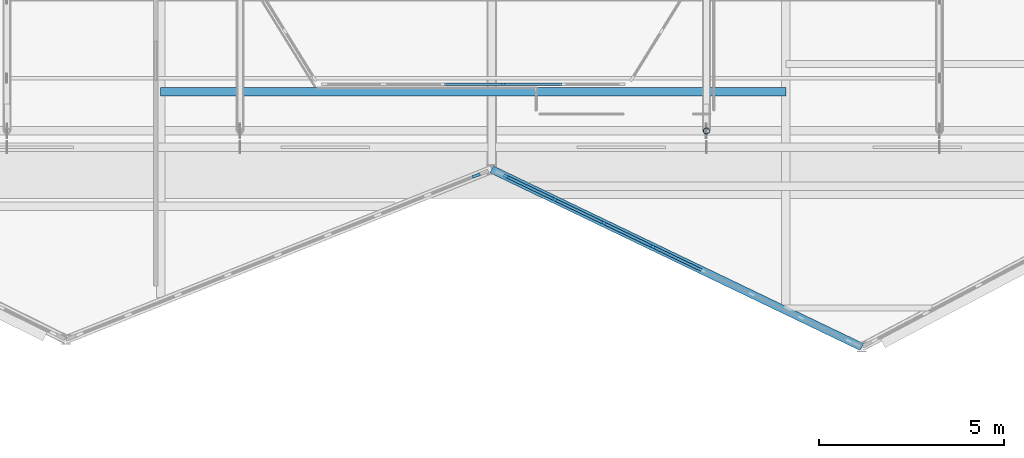
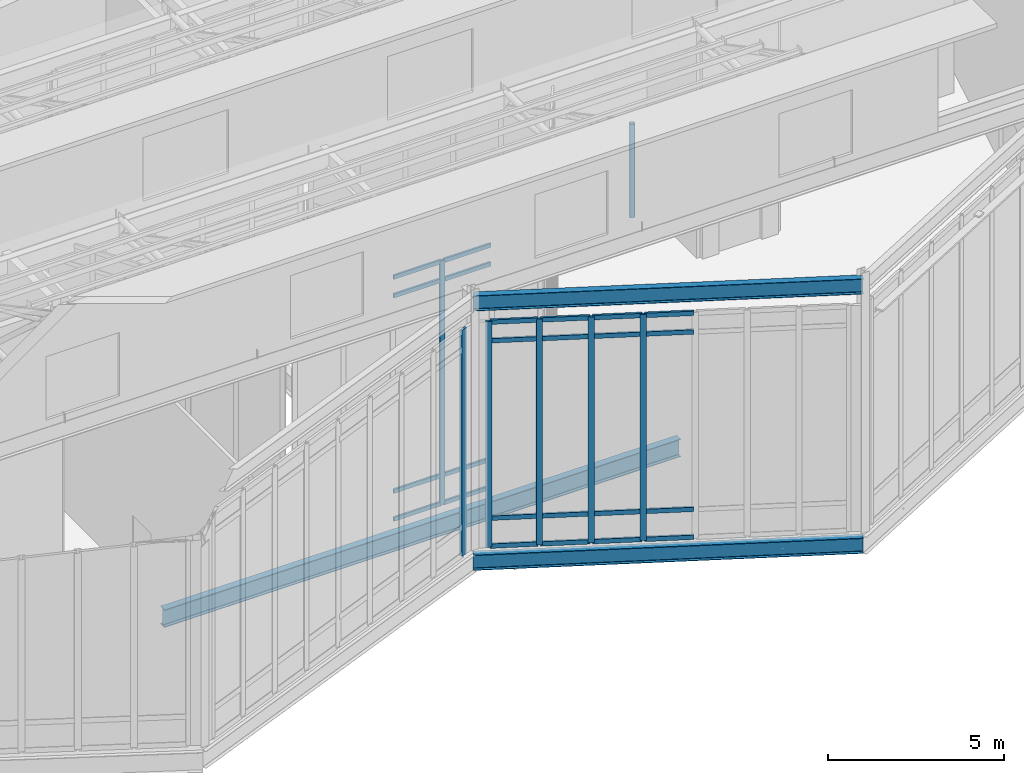
# One storey, part 16 of 66: 31 members, 3 beams, 3 elements without a shape of their own.
"""IFC4 building model written with IfcOpenShell, lengths in metres."""

from ifc_helpers import new_model, si_unit, direction, frame, origin, origin_2d, place, context, subcontext, project, spatial, rectangle, hollow_circle, i_section, extrude, material, material_profile, profile_set, type_object, element, aggregate, save


model = new_model("IFC4")

# Units and contexts
model_context = context("Model", 3, precision=1e-05, world=origin(), true_north=direction((0.0, 1.0)))
body_context = subcontext(model_context, "Body", "Model", "MODEL_VIEW")
ifc_project = project(units=[si_unit("LENGTHUNIT", "METRE"), si_unit("AREAUNIT", "SQUARE_METRE"), si_unit("VOLUMEUNIT", "CUBIC_METRE"), si_unit("PLANEANGLEUNIT", "RADIAN"), si_unit("MASSUNIT", "GRAM", prefix="KILO")], contexts=[model_context])

# Site, building, storey
site_placement = place(None, origin())
site = spatial("IfcSite", under=ifc_project, at=site_placement, CompositionType="ELEMENT")
building_placement = place(site_placement, origin())
building = spatial("IfcBuilding", under=site, at=building_placement, Name="Tameran Prism Museum", CompositionType="ELEMENT")
storey_placement = place(building_placement, frame((0.0, 0.0, 19.800048828125)))
storey = spatial("IfcBuildingStorey", under=building, at=storey_placement, Name="L04", CompositionType="ELEMENT", Elevation=19.800048828125)

# Beams
ifc_material_1 = material(Name="Steel Grade 300PLUS (300 MPa)", Category="steel")
ifc_material_profile_1 = material_profile(ifc_material_1, i_section(OverallWidth=0.208984375, OverallDepth=0.532958984375, WebThickness=0.01025390625, FlangeThickness=0.015625, FilletRadius=0.013916015625, at=origin_2d()))
ifc_profile_set_1 = profile_set([ifc_material_profile_1])
beam_type_1 = type_object("IfcBeamType", Name="BM-SP530A", PredefinedType="SPANDREL", material=ifc_profile_set_1)
beam_1_placement = place(storey_placement, frame((77.5, 27.39990234375, -0.466552734375), z_axis=(0.901529926538, -0.432716756732, 0.0), x_axis=(0.432716756732, 0.901529926538, 0.0)))
element("IfcBeam", 1, at=beam_1_placement, inside=storey, type_object=beam_type_1, Name="Perimeter Spandrel SP-1167", PredefinedType="SPANDREL", context=body_context, shape_type="SweptSolid", body=[
    extrude(i_section(OverallWidth=0.208984375, OverallDepth=0.532958984375, WebThickness=0.01025390625, FlangeThickness=0.015625, FilletRadius=0.013916015625, at=origin_2d()), origin(), (0.0, 0.0, 1.0), 11.09228515625),
])
ifc_material_2 = material(Name="Steel Grade 300PLUS (300 MPa)", Category="steel")
ifc_material_profile_2 = material_profile(ifc_material_2, i_section(OverallWidth=0.208984375, OverallDepth=0.528076171875, WebThickness=0.009521484375, FlangeThickness=0.01318359375, FilletRadius=0.013916015625, at=origin_2d()))
ifc_profile_set_2 = profile_set([ifc_material_profile_2])
beam_type_2 = type_object("IfcBeamType", Name="BM-SP530B", PredefinedType="SPANDREL", material=ifc_profile_set_2)
beam_2_placement = place(storey_placement, frame((77.5, 27.39990234375, 8.505859375), z_axis=(0.901529926538, -0.432716756732, 0.0), x_axis=(0.432716756732, 0.901529926538, 0.0)))
element("IfcBeam", 2, at=beam_2_placement, inside=storey, type_object=beam_type_2, Name="Roof Ring Beam RB-1172", PredefinedType="SPANDREL", context=body_context, shape_type="SweptSolid", body=[
    extrude(i_section(OverallWidth=0.208984375, OverallDepth=0.528076171875, WebThickness=0.009521484375, FlangeThickness=0.01318359375, FilletRadius=0.013916015625, at=origin_2d()), origin(), (0.0, 0.0, 1.0), 11.09228515625),
])
ifc_material_3 = material(Name="Steel Grade 300PLUS (300 MPa)", Category="steel")
ifc_material_profile_3 = material_profile(ifc_material_3, i_section(OverallWidth=0.22900390625, OverallDepth=0.612060546875, WebThickness=0.011962890625, FlangeThickness=0.01953125, FilletRadius=0.013916015625, at=origin_2d()))
ifc_profile_set_3 = profile_set([ifc_material_profile_3])
beam_type_3 = type_object("IfcBeamType", Name="BM-UB610A", PredefinedType="BEAM", material=ifc_profile_set_3)
beam_3_placement = place(storey_placement, frame((68.550048828125, 29.5, -0.546142578125), z_axis=(1.0, 0.0, 0.0), x_axis=(0.0, 1.0, 0.0)))
element("IfcBeam", 3, at=beam_3_placement, inside=storey, type_object=beam_type_3, Name="Atrium Transverse Trimmer ATE-1193", PredefinedType="BEAM", context=body_context, shape_type="SweptSolid", body=[
    extrude(i_section(OverallWidth=0.22900390625, OverallDepth=0.612060546875, WebThickness=0.011962890625, FlangeThickness=0.01953125, FilletRadius=0.013916015625, at=origin_2d()), origin(), (0.0, 0.0, 1.0), 16.89990234375),
])

# Curtain wall, member
ifc_material_4 = material(Name="Anodised Aluminium 6063-T6 and Cyclone Solar Glass", Category="aluminium")
curtain_wall_type_1 = type_object("IfcCurtainWallType", Name="CW-ATR-810x844", PredefinedType="USERDEFINED", material=ifc_material_4)
curtain_wall_1_placement = place(storey_placement, origin())
curtain_wall_1 = element("IfcCurtainWall", 4, at=curtain_wall_1_placement, inside=storey, type_object=curtain_wall_type_1, Name="Unitised Curtain Wall CW-016", ObjectType="UNITISED CURTAIN WALL", PredefinedType="USERDEFINED")
ifc_material_5 = material(Name="Anodised Aluminium Alloy 6063-T6", Category="aluminium")
ifc_material_profile_4 = material_profile(ifc_material_5, rectangle(XDim=0.06494140625, YDim=0.159912109375, at=origin_2d()))
ifc_profile_set_4 = profile_set([ifc_material_profile_4])
member_type_1 = type_object("IfcMemberType", Name="CW-MUL-A", PredefinedType="MULLION", material=ifc_profile_set_4)
member_1_placement = place(storey_placement, frame((77.81005859375, 29.699951171875, 0.0), z_axis=(0.0, 0.0, 1.0), x_axis=(0.0, 1.0, 0.0)))
member_1 = element("IfcMember", 5, at=member_1_placement, type_object=member_type_1, Name="CW-016 mullion 4", PredefinedType="MULLION", context=body_context, shape_type="SweptSolid", body=[
    extrude(rectangle(XDim=0.06494140625, YDim=0.159912109375, at=origin_2d()), origin(), (0.0, 0.0, 1.0), 8.43994140625),
])

# Curtain wall, members
ifc_material_6 = material(Name="Anodised Aluminium 6063-T6 and Cyclone Solar Glass", Category="aluminium")
curtain_wall_type_2 = type_object("IfcCurtainWallType", Name="CW-FAC-1033x782", PredefinedType="USERDEFINED", material=ifc_material_6)
curtain_wall_2_placement = place(storey_placement, origin())
curtain_wall_2 = element("IfcCurtainWall", 6, at=curtain_wall_2_placement, inside=storey, type_object=curtain_wall_type_2, Name="Unitised Curtain Wall CW-160", ObjectType="UNITISED CURTAIN WALL", PredefinedType="USERDEFINED")
ifc_material_7 = material(Name="Anodised Aluminium Alloy 6063-T6", Category="aluminium")
ifc_material_profile_5 = material_profile(ifc_material_7, rectangle(XDim=0.070068359375, YDim=0.179931640625, at=origin_2d()))
ifc_profile_set_5 = profile_set([ifc_material_profile_5])
member_type_2 = type_object("IfcMemberType", Name="CW-MUL-B", PredefinedType="MULLION", material=ifc_profile_set_5)
member_2_placement = place(storey_placement, frame((81.86181640625, 25.306396484375, 0.0), z_axis=(0.0, 0.0, 1.0), x_axis=(-0.432831753637, -0.901474721245, 0.0)))
member_2 = element("IfcMember", 7, at=member_2_placement, type_object=member_type_2, Name="CW-160 mullion 5", PredefinedType="MULLION", context=body_context, shape_type="SweptSolid", body=[
    extrude(rectangle(XDim=0.070068359375, YDim=0.179931640625, at=origin_2d()), origin(), (0.0, 0.0, 1.0), 7.820068359375),
])
member_3_placement = place(storey_placement, frame((80.53125, 25.9453125, 0.0), z_axis=(0.0, 0.0, 1.0), x_axis=(-0.432831753637, -0.901474721245, 0.0)))
member_3 = element("IfcMember", 8, at=member_3_placement, type_object=member_type_2, Name="CW-160 mullion 6", PredefinedType="MULLION", context=body_context, shape_type="SweptSolid", body=[
    extrude(rectangle(XDim=0.070068359375, YDim=0.179931640625, at=origin_2d()), origin(), (0.0, 0.0, 1.0), 7.820068359375),
])
member_4_placement = place(storey_placement, frame((79.20068359375, 26.584228515625, 0.0), z_axis=(0.0, 0.0, 1.0), x_axis=(-0.432831753637, -0.901474721245, 0.0)))
member_4 = element("IfcMember", 9, at=member_4_placement, type_object=member_type_2, Name="CW-160 mullion 7", PredefinedType="MULLION", context=body_context, shape_type="SweptSolid", body=[
    extrude(rectangle(XDim=0.070068359375, YDim=0.179931640625, at=origin_2d()), origin(), (0.0, 0.0, 1.0), 7.820068359375),
])
member_5_placement = place(storey_placement, frame((77.901611328125, 27.207763671875, 0.0), z_axis=(0.0, 0.0, 1.0), x_axis=(-0.432831753637, -0.901474721245, 0.0)))
member_5 = element("IfcMember", 10, at=member_5_placement, type_object=member_type_2, Name="CW-160 mullion 8", PredefinedType="MULLION", context=body_context, shape_type="SweptSolid", body=[
    extrude(rectangle(XDim=0.070068359375, YDim=0.179931640625, at=origin_2d()), origin(), (0.0, 0.0, 1.0), 7.820068359375),
])

# Curtain wall, member
ifc_material_8 = material(Name="Anodised Aluminium 6063-T6 and Cyclone Solar Glass", Category="aluminium")
curtain_wall_type_3 = type_object("IfcCurtainWallType", Name="CW-FAC-1163x782", PredefinedType="USERDEFINED", material=ifc_material_8)
curtain_wall_3_placement = place(storey_placement, origin())
curtain_wall_3 = element("IfcCurtainWall", 11, at=curtain_wall_3_placement, inside=storey, type_object=curtain_wall_type_3, Name="Unitised Curtain Wall CW-158", ObjectType="UNITISED CURTAIN WALL", PredefinedType="USERDEFINED")
ifc_material_9 = material(Name="Anodised Aluminium Alloy 6063-T6", Category="aluminium")
ifc_material_profile_6 = material_profile(ifc_material_9, rectangle(XDim=0.080078125, YDim=0.219970703125, at=origin_2d()))
ifc_profile_set_6 = profile_set([ifc_material_profile_6])
member_type_3 = type_object("IfcMemberType", Name="CW-MUL-D", PredefinedType="MULLION", material=ifc_profile_set_6)
member_6_placement = place(storey_placement, frame((77.081787109375, 27.233154296875, 0.0), z_axis=(0.0, 0.0, 1.0), x_axis=(0.371420337114, -0.928464826032, 0.0)))
member_6 = element("IfcMember", 12, at=member_6_placement, type_object=member_type_3, Name="CW-158 mullion 1", PredefinedType="MULLION", context=body_context, shape_type="SweptSolid", body=[
    extrude(rectangle(XDim=0.080078125, YDim=0.219970703125, at=origin_2d()), origin(), (0.0, 0.0, 1.0), 7.820068359375),
])
aggregate(curtain_wall_3, [member_6])

# Member
ifc_material_10 = material(Name="Anodised Aluminium Alloy 6063-T6", Category="aluminium")
ifc_material_profile_7 = material_profile(ifc_material_10, rectangle(XDim=0.06494140625, YDim=0.139892578125, at=origin_2d()))
ifc_profile_set_7 = profile_set([ifc_material_profile_7])
member_type_4 = type_object("IfcMemberType", Name="CW-TRN-A", PredefinedType="USERDEFINED", material=ifc_profile_set_7)
member_7_placement = place(storey_placement, frame((76.222412109375, 29.699951171875, 0.032470703125), z_axis=(1.0, 0.0, 0.0), x_axis=(0.0, 1.0, 0.0)))
member_7 = element("IfcMember", 13, at=member_7_placement, type_object=member_type_4, Name="CW-016 transom 3.1", ObjectType="TRANSOM", PredefinedType="USERDEFINED", context=body_context, shape_type="SweptSolid", body=[
    extrude(rectangle(XDim=0.06494140625, YDim=0.139892578125, at=origin_2d()), origin(), (0.0, 0.0, 1.0), 1.55517578125),
])

member_8_placement = place(storey_placement, frame((76.222412109375, 29.699951171875, 1.0), z_axis=(1.0, 0.0, 0.0), x_axis=(0.0, 1.0, 0.0)))
member_8 = element("IfcMember", 14, at=member_8_placement, type_object=member_type_4, Name="CW-016 transom 3.2", ObjectType="TRANSOM", PredefinedType="USERDEFINED", context=body_context, shape_type="SweptSolid", body=[
    extrude(rectangle(XDim=0.06494140625, YDim=0.139892578125, at=origin_2d()), origin(), (0.0, 0.0, 1.0), 1.55517578125),
])

member_9_placement = place(storey_placement, frame((76.222412109375, 29.699951171875, 7.760009765625), z_axis=(1.0, 0.0, 0.0), x_axis=(0.0, 1.0, 0.0)))
member_9 = element("IfcMember", 15, at=member_9_placement, type_object=member_type_4, Name="CW-016 transom 3.3", ObjectType="TRANSOM", PredefinedType="USERDEFINED", context=body_context, shape_type="SweptSolid", body=[
    extrude(rectangle(XDim=0.06494140625, YDim=0.139892578125, at=origin_2d()), origin(), (0.0, 0.0, 1.0), 1.55517578125),
])

member_10_placement = place(storey_placement, frame((76.222412109375, 29.699951171875, 8.407470703125), z_axis=(1.0, 0.0, 0.0), x_axis=(0.0, 1.0, 0.0)))
member_10 = element("IfcMember", 16, at=member_10_placement, type_object=member_type_4, Name="CW-016 transom 3.4", ObjectType="TRANSOM", PredefinedType="USERDEFINED", context=body_context, shape_type="SweptSolid", body=[
    extrude(rectangle(XDim=0.06494140625, YDim=0.139892578125, at=origin_2d()), origin(), (0.0, 0.0, 1.0), 1.55517578125),
])

member_11_placement = place(storey_placement, frame((77.842529296875, 29.699951171875, 0.032470703125), z_axis=(1.0, 0.0, 0.0), x_axis=(0.0, 1.0, 0.0)))
member_11 = element("IfcMember", 17, at=member_11_placement, type_object=member_type_4, Name="CW-016 transom 4.1", ObjectType="TRANSOM", PredefinedType="USERDEFINED", context=body_context, shape_type="SweptSolid", body=[
    extrude(rectangle(XDim=0.06494140625, YDim=0.139892578125, at=origin_2d()), origin(), (0.0, 0.0, 1.0), 1.554931640625),
])

member_12_placement = place(storey_placement, frame((77.842529296875, 29.699951171875, 1.0), z_axis=(1.0, 0.0, 0.0), x_axis=(0.0, 1.0, 0.0)))
member_12 = element("IfcMember", 18, at=member_12_placement, type_object=member_type_4, Name="CW-016 transom 4.2", ObjectType="TRANSOM", PredefinedType="USERDEFINED", context=body_context, shape_type="SweptSolid", body=[
    extrude(rectangle(XDim=0.06494140625, YDim=0.139892578125, at=origin_2d()), origin(), (0.0, 0.0, 1.0), 1.554931640625),
])

member_13_placement = place(storey_placement, frame((77.842529296875, 29.699951171875, 7.760009765625), z_axis=(1.0, 0.0, 0.0), x_axis=(0.0, 1.0, 0.0)))
member_13 = element("IfcMember", 19, at=member_13_placement, type_object=member_type_4, Name="CW-016 transom 4.3", ObjectType="TRANSOM", PredefinedType="USERDEFINED", context=body_context, shape_type="SweptSolid", body=[
    extrude(rectangle(XDim=0.06494140625, YDim=0.139892578125, at=origin_2d()), origin(), (0.0, 0.0, 1.0), 1.554931640625),
])

member_14_placement = place(storey_placement, frame((77.842529296875, 29.699951171875, 8.407470703125), z_axis=(1.0, 0.0, 0.0), x_axis=(0.0, 1.0, 0.0)))
member_14 = element("IfcMember", 20, at=member_14_placement, type_object=member_type_4, Name="CW-016 transom 4.4", ObjectType="TRANSOM", PredefinedType="USERDEFINED", context=body_context, shape_type="SweptSolid", body=[
    extrude(rectangle(XDim=0.06494140625, YDim=0.139892578125, at=origin_2d()), origin(), (0.0, 0.0, 1.0), 1.554931640625),
])

aggregate(curtain_wall_1, [member_1, member_7, member_8, member_9, member_10, member_11, member_12, member_13, member_14])

ifc_material_11 = material(Name="Anodised Aluminium Alloy 6063-T6", Category="aluminium")
ifc_material_profile_8 = material_profile(ifc_material_11, rectangle(XDim=0.070068359375, YDim=0.155029296875, at=origin_2d()))
ifc_profile_set_8 = profile_set([ifc_material_profile_8])
member_type_5 = type_object("IfcMemberType", Name="CW-TRN-B", PredefinedType="USERDEFINED", material=ifc_profile_set_8)
member_15_placement = place(storey_placement, frame((83.16064453125, 24.6826171875, 0.034912109375), z_axis=(-0.901433614739, 0.432917357262, 0.0), x_axis=(-0.432917357262, -0.901433614739, 0.0)))
member_15 = element("IfcMember", 21, at=member_15_placement, type_object=member_type_5, Name="CW-160 transom 4.1", ObjectType="TRANSOM", PredefinedType="USERDEFINED", context=body_context, shape_type="SweptSolid", body=[
    extrude(rectangle(XDim=0.070068359375, YDim=0.155029296875, at=origin_2d()), origin(), (0.0, 0.0, 1.0), 1.406005859375),
])

member_16_placement = place(storey_placement, frame((83.16064453125, 24.6826171875, 1.0), z_axis=(-0.901433614739, 0.432917357262, 0.0), x_axis=(-0.432917357262, -0.901433614739, 0.0)))
member_16 = element("IfcMember", 22, at=member_16_placement, type_object=member_type_5, Name="CW-160 transom 4.2", ObjectType="TRANSOM", PredefinedType="USERDEFINED", context=body_context, shape_type="SweptSolid", body=[
    extrude(rectangle(XDim=0.070068359375, YDim=0.155029296875, at=origin_2d()), origin(), (0.0, 0.0, 1.0), 1.406005859375),
])

member_17_placement = place(storey_placement, frame((83.16064453125, 24.6826171875, 7.139892578125), z_axis=(-0.901433614739, 0.432917357262, 0.0), x_axis=(-0.432917357262, -0.901433614739, 0.0)))
member_17 = element("IfcMember", 23, at=member_17_placement, type_object=member_type_5, Name="CW-160 transom 4.3", ObjectType="TRANSOM", PredefinedType="USERDEFINED", context=body_context, shape_type="SweptSolid", body=[
    extrude(rectangle(XDim=0.070068359375, YDim=0.155029296875, at=origin_2d()), origin(), (0.0, 0.0, 1.0), 1.406005859375),
])

member_18_placement = place(storey_placement, frame((83.16064453125, 24.6826171875, 7.784912109375), z_axis=(-0.901433614739, 0.432917357262, 0.0), x_axis=(-0.432917357262, -0.901433614739, 0.0)))
member_18 = element("IfcMember", 24, at=member_18_placement, type_object=member_type_5, Name="CW-160 transom 4.4", ObjectType="TRANSOM", PredefinedType="USERDEFINED", context=body_context, shape_type="SweptSolid", body=[
    extrude(rectangle(XDim=0.070068359375, YDim=0.155029296875, at=origin_2d()), origin(), (0.0, 0.0, 1.0), 1.406005859375),
])

member_19_placement = place(storey_placement, frame((81.830078125, 25.321533203125, 0.034912109375), z_axis=(-0.901433614739, 0.432917357262, 0.0), x_axis=(-0.432917357262, -0.901433614739, 0.0)))
member_19 = element("IfcMember", 25, at=member_19_placement, type_object=member_type_5, Name="CW-160 transom 5.1", ObjectType="TRANSOM", PredefinedType="USERDEFINED", context=body_context, shape_type="SweptSolid", body=[
    extrude(rectangle(XDim=0.070068359375, YDim=0.155029296875, at=origin_2d()), origin(), (0.0, 0.0, 1.0), 1.406005859375),
])

member_20_placement = place(storey_placement, frame((81.830078125, 25.321533203125, 1.0), z_axis=(-0.901433614739, 0.432917357262, 0.0), x_axis=(-0.432917357262, -0.901433614739, 0.0)))
member_20 = element("IfcMember", 26, at=member_20_placement, type_object=member_type_5, Name="CW-160 transom 5.2", ObjectType="TRANSOM", PredefinedType="USERDEFINED", context=body_context, shape_type="SweptSolid", body=[
    extrude(rectangle(XDim=0.070068359375, YDim=0.155029296875, at=origin_2d()), origin(), (0.0, 0.0, 1.0), 1.406005859375),
])

member_21_placement = place(storey_placement, frame((81.830078125, 25.321533203125, 7.139892578125), z_axis=(-0.901433614739, 0.432917357262, 0.0), x_axis=(-0.432917357262, -0.901433614739, 0.0)))
member_21 = element("IfcMember", 27, at=member_21_placement, type_object=member_type_5, Name="CW-160 transom 5.3", ObjectType="TRANSOM", PredefinedType="USERDEFINED", context=body_context, shape_type="SweptSolid", body=[
    extrude(rectangle(XDim=0.070068359375, YDim=0.155029296875, at=origin_2d()), origin(), (0.0, 0.0, 1.0), 1.406005859375),
])

member_22_placement = place(storey_placement, frame((81.830078125, 25.321533203125, 7.784912109375), z_axis=(-0.901433614739, 0.432917357262, 0.0), x_axis=(-0.432917357262, -0.901433614739, 0.0)))
member_22 = element("IfcMember", 28, at=member_22_placement, type_object=member_type_5, Name="CW-160 transom 5.4", ObjectType="TRANSOM", PredefinedType="USERDEFINED", context=body_context, shape_type="SweptSolid", body=[
    extrude(rectangle(XDim=0.070068359375, YDim=0.155029296875, at=origin_2d()), origin(), (0.0, 0.0, 1.0), 1.406005859375),
])

member_23_placement = place(storey_placement, frame((80.49951171875, 25.96044921875, 0.034912109375), z_axis=(-0.901433614739, 0.432917357262, 0.0), x_axis=(-0.432917357262, -0.901433614739, 0.0)))
member_23 = element("IfcMember", 29, at=member_23_placement, type_object=member_type_5, Name="CW-160 transom 6.1", ObjectType="TRANSOM", PredefinedType="USERDEFINED", context=body_context, shape_type="SweptSolid", body=[
    extrude(rectangle(XDim=0.070068359375, YDim=0.155029296875, at=origin_2d()), origin(), (0.0, 0.0, 1.0), 1.406005859375),
])

member_24_placement = place(storey_placement, frame((80.49951171875, 25.96044921875, 1.0), z_axis=(-0.901433614739, 0.432917357262, 0.0), x_axis=(-0.432917357262, -0.901433614739, 0.0)))
member_24 = element("IfcMember", 30, at=member_24_placement, type_object=member_type_5, Name="CW-160 transom 6.2", ObjectType="TRANSOM", PredefinedType="USERDEFINED", context=body_context, shape_type="SweptSolid", body=[
    extrude(rectangle(XDim=0.070068359375, YDim=0.155029296875, at=origin_2d()), origin(), (0.0, 0.0, 1.0), 1.406005859375),
])

member_25_placement = place(storey_placement, frame((80.49951171875, 25.96044921875, 7.139892578125), z_axis=(-0.901433614739, 0.432917357262, 0.0), x_axis=(-0.432917357262, -0.901433614739, 0.0)))
member_25 = element("IfcMember", 31, at=member_25_placement, type_object=member_type_5, Name="CW-160 transom 6.3", ObjectType="TRANSOM", PredefinedType="USERDEFINED", context=body_context, shape_type="SweptSolid", body=[
    extrude(rectangle(XDim=0.070068359375, YDim=0.155029296875, at=origin_2d()), origin(), (0.0, 0.0, 1.0), 1.406005859375),
])

member_26_placement = place(storey_placement, frame((80.49951171875, 25.96044921875, 7.784912109375), z_axis=(-0.901433614739, 0.432917357262, 0.0), x_axis=(-0.432917357262, -0.901433614739, 0.0)))
member_26 = element("IfcMember", 32, at=member_26_placement, type_object=member_type_5, Name="CW-160 transom 6.4", ObjectType="TRANSOM", PredefinedType="USERDEFINED", context=body_context, shape_type="SweptSolid", body=[
    extrude(rectangle(XDim=0.070068359375, YDim=0.155029296875, at=origin_2d()), origin(), (0.0, 0.0, 1.0), 1.406005859375),
])

member_27_placement = place(storey_placement, frame((79.1689453125, 26.599365234375, 0.034912109375), z_axis=(-0.901506382299, 0.432765805805, 0.0), x_axis=(-0.432765805805, -0.901506382299, 0.0)))
member_27 = element("IfcMember", 33, at=member_27_placement, type_object=member_type_5, Name="CW-160 transom 7.1", ObjectType="TRANSOM", PredefinedType="USERDEFINED", context=body_context, shape_type="SweptSolid", body=[
    extrude(rectangle(XDim=0.070068359375, YDim=0.155029296875, at=origin_2d()), origin(), (0.0, 0.0, 1.0), 1.370849609375),
])

member_28_placement = place(storey_placement, frame((79.1689453125, 26.599365234375, 1.0), z_axis=(-0.901506382299, 0.432765805805, 0.0), x_axis=(-0.432765805805, -0.901506382299, 0.0)))
member_28 = element("IfcMember", 34, at=member_28_placement, type_object=member_type_5, Name="CW-160 transom 7.2", ObjectType="TRANSOM", PredefinedType="USERDEFINED", context=body_context, shape_type="SweptSolid", body=[
    extrude(rectangle(XDim=0.070068359375, YDim=0.155029296875, at=origin_2d()), origin(), (0.0, 0.0, 1.0), 1.370849609375),
])

member_29_placement = place(storey_placement, frame((79.1689453125, 26.599365234375, 7.139892578125), z_axis=(-0.901506382299, 0.432765805805, 0.0), x_axis=(-0.432765805805, -0.901506382299, 0.0)))
member_29 = element("IfcMember", 35, at=member_29_placement, type_object=member_type_5, Name="CW-160 transom 7.3", ObjectType="TRANSOM", PredefinedType="USERDEFINED", context=body_context, shape_type="SweptSolid", body=[
    extrude(rectangle(XDim=0.070068359375, YDim=0.155029296875, at=origin_2d()), origin(), (0.0, 0.0, 1.0), 1.370849609375),
])

member_30_placement = place(storey_placement, frame((79.1689453125, 26.599365234375, 7.784912109375), z_axis=(-0.901506382299, 0.432765805805, 0.0), x_axis=(-0.432765805805, -0.901506382299, 0.0)))
member_30 = element("IfcMember", 36, at=member_30_placement, type_object=member_type_5, Name="CW-160 transom 7.4", ObjectType="TRANSOM", PredefinedType="USERDEFINED", context=body_context, shape_type="SweptSolid", body=[
    extrude(rectangle(XDim=0.070068359375, YDim=0.155029296875, at=origin_2d()), origin(), (0.0, 0.0, 1.0), 1.370849609375),
])

aggregate(curtain_wall_2, [member_2, member_3, member_4, member_5, member_15, member_16, member_17, member_18, member_19, member_20, member_21, member_22, member_23, member_24, member_25, member_26, member_27, member_28, member_29, member_30])

ifc_material_12 = material(Name="Steel Grade C350L0 (350 MPa)", Category="steel")
ifc_material_profile_9 = material_profile(ifc_material_12, hollow_circle(Radius=0.084228515625, WallThickness=0.007080078125, at=origin_2d()))
ifc_profile_set_9 = profile_set([ifc_material_profile_9])
member_type_6 = type_object("IfcMemberType", Name="MM-BR-CHS168", PredefinedType="BRACE", material=ifc_profile_set_9)
member_31_placement = place(storey_placement, frame((83.300048828125, 28.43994140625, 8.785888671875), z_axis=(0.0, 0.0, 1.0), x_axis=(1.0, 0.0, 0.0)))
element("IfcMember", 37, at=member_31_placement, inside=storey, type_object=member_type_6, Name="Sawtooth Brace STM-0178", PredefinedType="BRACE", context=body_context, shape_type="SweptSolid", body=[
    extrude(hollow_circle(Radius=0.084228515625, WallThickness=0.007080078125, at=origin_2d()), origin(), (0.0, 0.0, 1.0), 3.238037109375),
])

save(model, "model.ifc")
